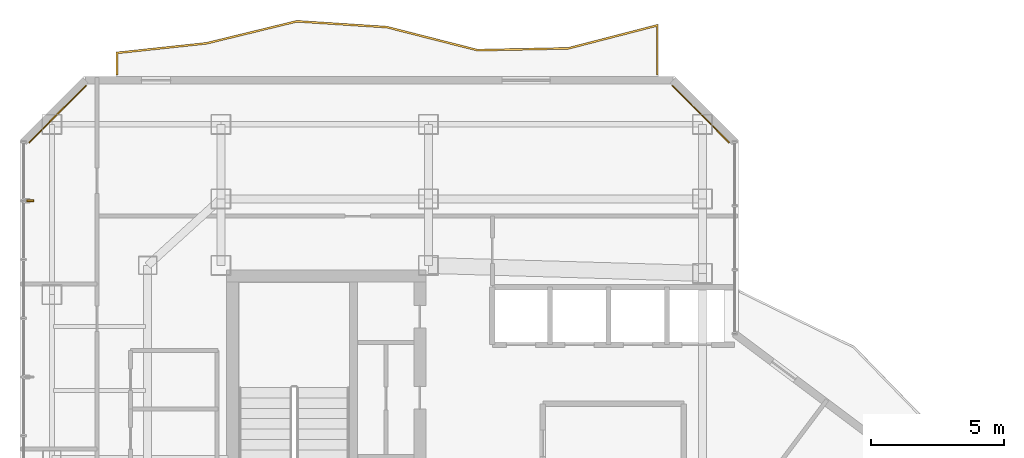
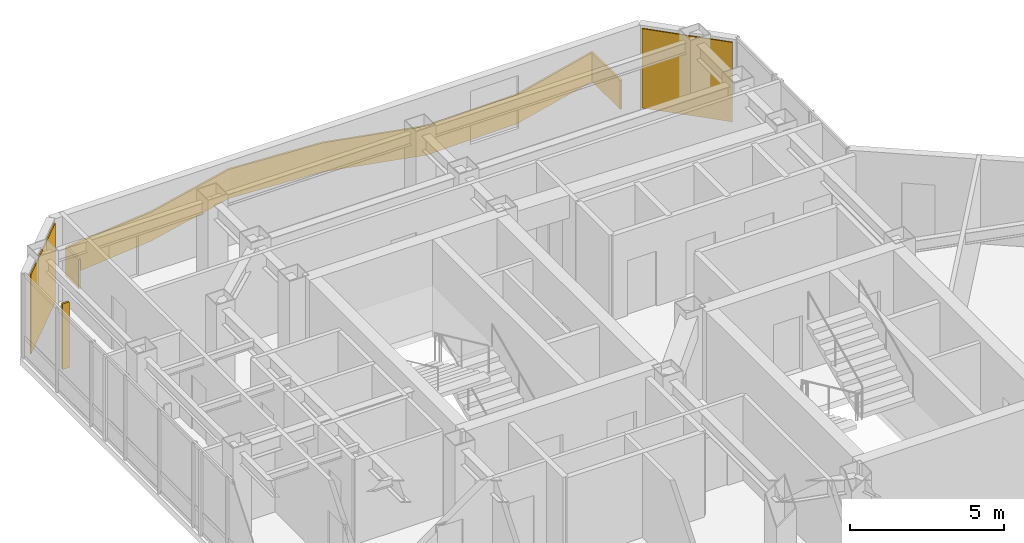
# One storey, part 26 of 26: 2 coverings, 1 railing, 1 shading device.
"""IFC4 building model written with IfcOpenShell, lengths in metres."""

from ifc_helpers import new_model, si_unit, direction, frame, origin, origin_2d, place, context, subcontext, project, spatial, polyline, rectangle, outline, extrude, material, layer, layer_set, type_object, element, save


model = new_model("IFC4")

# Units and contexts
model_context = context("Model", 3, precision=1e-05, world=origin(), true_north=direction((0.0, 1.0)))
body_context = subcontext(model_context, "Body", "Model", "MODEL_VIEW")
ifc_project = project(units=[si_unit("LENGTHUNIT", "METRE"), si_unit("AREAUNIT", "SQUARE_METRE"), si_unit("VOLUMEUNIT", "CUBIC_METRE"), si_unit("PLANEANGLEUNIT", "RADIAN"), si_unit("MASSUNIT", "GRAM", prefix="KILO")], contexts=[model_context])

# Site, building, storey
site_placement = place(None, origin())
site = spatial("IfcSite", under=ifc_project, at=site_placement, CompositionType="ELEMENT")
building_placement = place(site_placement, origin())
building = spatial("IfcBuilding", under=site, at=building_placement, Name="Hatsunagi Terrace Concourse", CompositionType="ELEMENT")
storey_placement = place(building_placement, frame((0.0, 0.0, 198.75)))
storey = spatial("IfcBuildingStorey", under=building, at=storey_placement, Name="L52", CompositionType="ELEMENT", Elevation=198.75)

# Railing
ifc_material_1 = material(Name="Laminated Glass and Stainless Steel Guard", Category="steel")
ifc_layer_1 = layer(ifc_material_1, 0.070068359375)
ifc_layer_set_1 = layer_set([ifc_layer_1], Name="BalconyGlassGuardRail_1150")
railing_type = type_object("IfcRailingType", Name="BalconyGlassGuardRail_1150", PredefinedType="BALUSTRADE", material=ifc_layer_set_1)
railing_placement = place(storey_placement, origin())
element("IfcRailing", 1, at=railing_placement, inside=storey, type_object=railing_type, Name="Engawa Balcony Guard GRD-01 L52-BN-1", PredefinedType="BALUSTRADE", context=body_context, shape_type="SweptSolid", body=[
    extrude(outline(polyline([(21.614990234375, 50.449951171875), (21.68505859375, 50.449951171875), (21.68505859375, 51.255615234375), (25.014892578125, 51.6123046875), (28.406982421875, 52.438720703125), (31.78662109375, 52.21923828125), (35.18994140625, 51.352783203125), (38.61181640625, 51.422119140625), (41.9150390625, 52.27490234375), (41.9150390625, 50.449951171875), (41.985107421875, 50.449951171875), (41.985107421875, 52.365234375), (38.602294921875, 51.491943359375), (35.197998046875, 51.423095703125), (31.797607421875, 52.288818359375), (28.40087890625, 52.50927734375), (25.0029296875, 51.681640625), (21.614990234375, 51.318359375), (21.614990234375, 50.449951171875)])), origin(), (0.0, 0.0, 1.0), 1.14990234375),
])

# Shading device
ifc_material_2 = material(Name="Extruded Unglazed Terracotta Baguette", Category="masonry")
shading_device_type = type_object("IfcShadingDeviceType", Name="TerracottaFinScreen_260x70", PredefinedType="USERDEFINED", material=ifc_material_2)
shading_device_placement = place(storey_placement, frame((18.389892578125, 45.73388671875, 0.849853515625), z_axis=(0.0, 0.0, 1.0), x_axis=(0.0, 1.0, 0.0)))
element("IfcShadingDevice", 2, at=shading_device_placement, inside=storey, type_object=shading_device_type, Name="Terracotta Baguette Fin Screen SCR-01", ObjectType="SUNSHADE", PredefinedType="USERDEFINED", context=body_context, shape_type="SweptSolid", body=[
    extrude(rectangle(XDim=0.070068359375, YDim=0.260009765625, at=origin_2d()), origin(), (0.0, 0.0, 1.0), 2.60009765625),
])

# Coverings
ifc_material_3 = material(Name="Unglazed Warm Terracotta Rainscreen Tile", Category="masonry")
ifc_layer_2 = layer(ifc_material_3, 0.044921875)
ifc_layer_set_2 = layer_set([ifc_layer_2], Name="TerracottaRainscreenCladding_45")
covering_type = type_object("IfcCoveringType", Name="TerracottaRainscreenCladding_45", PredefinedType="CLADDING", material=ifc_layer_set_2)
for number, where, z_axis, x_axis, name in (
    (3, (19.4140625, 48.986083984375, 0.10009765625), (0.0, 0.0, 1.0), (0.707106781187, 0.707106781187, 0.0), "Terracotta Rainscreen Cladding L52-09"),
    (4, (43.5859375, 48.986083984375, 0.10009765625), (0.0, 0.0, 1.0), (0.707106781187, -0.707106781187, 0.0), "Terracotta Rainscreen Cladding L52-11"),
):
    element("IfcCovering", number, at=place(storey_placement, frame(where, z_axis=z_axis, x_axis=x_axis)), inside=storey, type_object=covering_type, Name=name, PredefinedType="CLADDING", context=body_context, shape_type="SweptSolid", body=[
        extrude(rectangle(XDim=3.0380859375, YDim=0.044921875, at=origin_2d()), origin(), (0.0, 0.0, 1.0), 3.14990234375),
    ])

save(model, "model.ifc")
